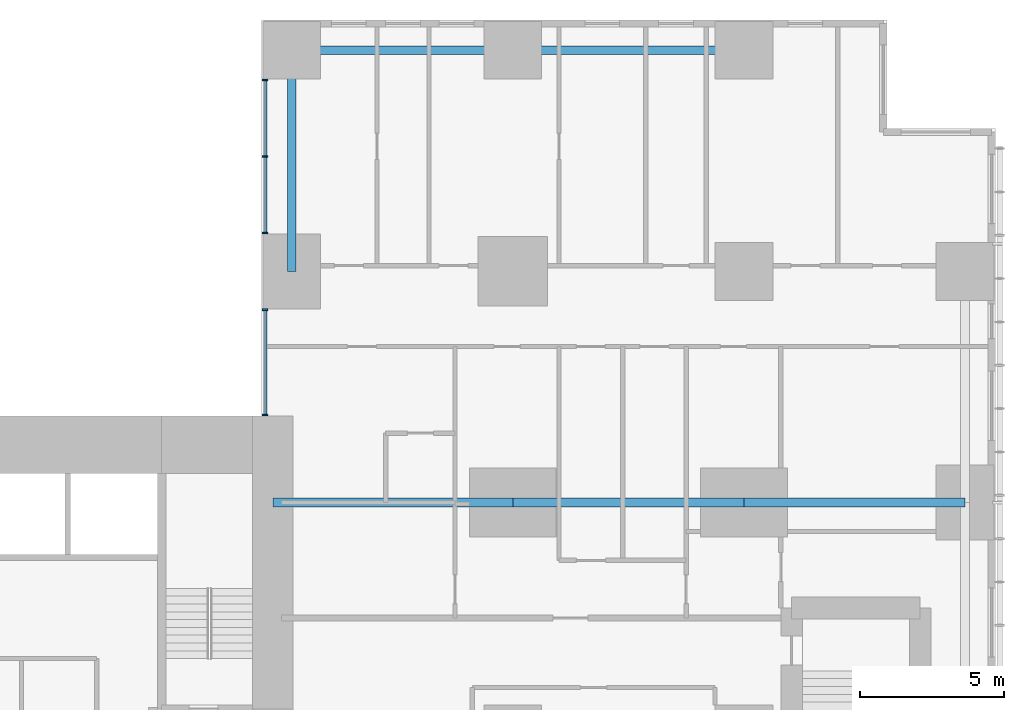
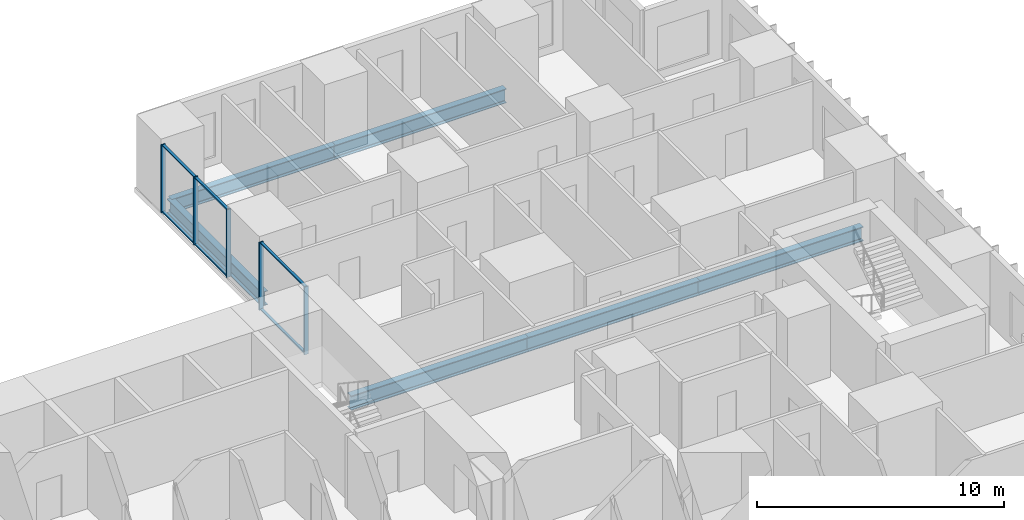
# One storey, part 5 of 20: 11 members, 6 beams, 2 elements without a shape of their own.
"""IFC4 building model written with IfcOpenShell, lengths in metres."""

from ifc_helpers import new_model, si_unit, direction, frame, origin, origin_2d, place, context, subcontext, project, spatial, rectangle, i_section, extrude, material, layer, layer_set, material_profile, profile_set, type_object, element, aggregate, save


model = new_model("IFC4")

# Units and contexts
model_context = context("Model", 3, precision=1e-05, world=origin(), true_north=direction((0.0, 1.0)))
body_context = subcontext(model_context, "Body", "Model", "MODEL_VIEW")
ifc_project = project(units=[si_unit("LENGTHUNIT", "METRE"), si_unit("AREAUNIT", "SQUARE_METRE"), si_unit("VOLUMEUNIT", "CUBIC_METRE"), si_unit("PLANEANGLEUNIT", "RADIAN"), si_unit("MASSUNIT", "GRAM", prefix="KILO")], contexts=[model_context])

# Site, building, storey
site_placement = place(None, origin())
site = spatial("IfcSite", under=ifc_project, at=site_placement, CompositionType="ELEMENT")
building_placement = place(site_placement, origin())
building = spatial("IfcBuilding", under=site, at=building_placement, Name="Cleftline Residences", CompositionType="ELEMENT")
storey_placement = place(building_placement, frame((0.0, 0.0, 153.800048828125)))
storey = spatial("IfcBuildingStorey", under=building, at=storey_placement, Name="L40", CompositionType="ELEMENT", Elevation=153.800048828125)

# Beams
ifc_material_1 = material(Name="Steel S355", Category="steel")
ifc_material_profile_1 = material_profile(ifc_material_1, i_section(OverallWidth=0.300048828125, OverallDepth=0.699951171875, WebThickness=0.01708984375, FlangeThickness=0.031982421875, FilletRadius=0.027099609375, at=origin_2d()))
ifc_profile_set_1 = profile_set([ifc_material_profile_1], Name="Steel S355")
beam_type_1 = type_object("IfcBeamType", Name="BEAM HEB 700", PredefinedType="BEAM", material=ifc_profile_set_1)
beam_1_placement = place(storey_placement, frame((58.0, 47.64990234375, -0.60009765625), z_axis=(-1.0, 0.0, 0.0), x_axis=(0.0, -1.0, 0.0)))
element("IfcBeam", 1, at=beam_1_placement, inside=storey, type_object=beam_type_1, Name="Edge beam", PredefinedType="BEAM", context=body_context, shape_type="SweptSolid", body=[
    extrude(i_section(OverallWidth=0.300048828125, OverallDepth=0.699951171875, WebThickness=0.01708984375, FlangeThickness=0.031982421875, FilletRadius=0.027099609375, at=origin_2d()), origin(), (0.0, 0.0, 1.0), 8.0),
])
for number, where, z_axis, x_axis, name in (
    (2, (50.0, 47.64990234375, -0.60009765625), (-1.0, 0.0, 0.0), (0.0, -1.0, 0.0), "Edge beam"),
    (3, (42.35009765625, 47.64990234375, -0.60009765625), (0.0, -1.0, 0.0), (1.0, 0.0, 0.0), "Edge beam"),
):
    element("IfcBeam", number, at=place(storey_placement, frame(where, z_axis=z_axis, x_axis=x_axis)), inside=storey, type_object=beam_type_1, Name=name, PredefinedType="BEAM", context=body_context, shape_type="SweptSolid", body=[
        extrude(i_section(OverallWidth=0.300048828125, OverallDepth=0.699951171875, WebThickness=0.01708984375, FlangeThickness=0.031982421875, FilletRadius=0.027099609375, at=origin_2d()), origin(), (0.0, 0.0, 1.0), 7.64990234375),
    ])
ifc_material_2 = material(Name="Steel S355", Category="steel")
ifc_material_profile_2 = material_profile(ifc_material_2, i_section(OverallWidth=0.303955078125, OverallDepth=0.716064453125, WebThickness=0.02099609375, FlangeThickness=0.0400390625, FilletRadius=0.027099609375, at=origin_2d()))
ifc_profile_set_2 = profile_set([ifc_material_profile_2], Name="Steel S355")
beam_type_2 = type_object("IfcBeamType", Name="BEAM HEM 700", PredefinedType="BEAM", material=ifc_profile_set_2)
beam_2_placement = place(storey_placement, frame((65.64990234375, 32.0, -0.608154296875), z_axis=(-1.0, 0.0, 0.0), x_axis=(0.0, -1.0, 0.0)))
element("IfcBeam", 4, at=beam_2_placement, inside=storey, type_object=beam_type_2, Name="Band beam", PredefinedType="BEAM", context=body_context, shape_type="SweptSolid", body=[
    extrude(i_section(OverallWidth=0.303955078125, OverallDepth=0.716064453125, WebThickness=0.02099609375, FlangeThickness=0.0400390625, FilletRadius=0.027099609375, at=origin_2d()), origin(), (0.0, 0.0, 1.0), 7.64990234375),
])
beam_3_placement = place(storey_placement, frame((58.0, 32.0, -0.608154296875), z_axis=(-1.0, 0.0, 0.0), x_axis=(0.0, -1.0, 0.0)))
element("IfcBeam", 5, at=beam_3_placement, inside=storey, type_object=beam_type_2, Name="Band beam", PredefinedType="BEAM", context=body_context, shape_type="SweptSolid", body=[
    extrude(i_section(OverallWidth=0.303955078125, OverallDepth=0.716064453125, WebThickness=0.02099609375, FlangeThickness=0.0400390625, FilletRadius=0.027099609375, at=origin_2d()), origin(), (0.0, 0.0, 1.0), 8.0),
])
beam_4_placement = place(storey_placement, frame((50.0, 32.0, -0.608154296875), z_axis=(-1.0, 0.0, 0.0), x_axis=(0.0, -1.0, 0.0)))
element("IfcBeam", 6, at=beam_4_placement, inside=storey, type_object=beam_type_2, Name="Band beam", PredefinedType="BEAM", context=body_context, shape_type="SweptSolid", body=[
    extrude(i_section(OverallWidth=0.303955078125, OverallDepth=0.716064453125, WebThickness=0.02099609375, FlangeThickness=0.0400390625, FilletRadius=0.027099609375, at=origin_2d()), origin(), (0.0, 0.0, 1.0), 8.300048828125),
])

# Curtain wall, members
ifc_material_3 = material(Name="Aluminium framed curtain wall", Category="aluminium")
ifc_layer = layer(ifc_material_3, 0.199951171875)
ifc_layer_set = layer_set([ifc_layer], Name="CW1 CLEFT GLAZING")
curtain_wall_type = type_object("IfcCurtainWallType", Name="CW1 CLEFT GLAZING", PredefinedType="NOTDEFINED", material=ifc_layer_set)
curtain_wall_1_placement = place(storey_placement, origin())
curtain_wall_1 = element("IfcCurtainWall", 7, at=curtain_wall_1_placement, inside=storey, type_object=curtain_wall_type, Name="Curtain wall CW1", PredefinedType="NOTDEFINED")
ifc_material_4 = material(Name="Aluminium mullion", Category="aluminium")
ifc_material_profile_3 = material_profile(ifc_material_4, rectangle(XDim=0.199951171875, YDim=0.06005859375, at=origin_2d()))
ifc_profile_set_3 = profile_set([ifc_material_profile_3], Name="Aluminium mullion")
member_type_1 = type_object("IfcMemberType", Name="CW1 MULLION", PredefinedType="MULLION", material=ifc_profile_set_3)
member_1_placement = place(storey_placement, frame((41.425048828125, 46.6201171875, 0.0), z_axis=(0.0, 0.0, 1.0), x_axis=(1.0, 0.0, 0.0)))
member_1 = element("IfcMember", 8, at=member_1_placement, type_object=member_type_1, Name="CW1 mullion 1", PredefinedType="MULLION", context=body_context, shape_type="SweptSolid", body=[
    extrude(rectangle(XDim=0.199951171875, YDim=0.06005859375, at=origin_2d()), origin(), (0.0, 0.0, 1.0), 3.349853515625),
])
member_2_placement = place(storey_placement, frame((41.425048828125, 43.97509765625, 0.0), z_axis=(0.0, 0.0, 1.0), x_axis=(1.0, 0.0, 0.0)))
member_2 = element("IfcMember", 9, at=member_2_placement, type_object=member_type_1, Name="CW1 mullion 2", PredefinedType="MULLION", context=body_context, shape_type="SweptSolid", body=[
    extrude(rectangle(XDim=0.199951171875, YDim=0.06005859375, at=origin_2d()), origin(), (0.0, 0.0, 1.0), 3.349853515625),
])
member_3_placement = place(storey_placement, frame((41.425048828125, 41.330078125, 0.0), z_axis=(0.0, 0.0, 1.0), x_axis=(1.0, 0.0, 0.0)))
member_3 = element("IfcMember", 10, at=member_3_placement, type_object=member_type_1, Name="CW1 mullion 3", PredefinedType="MULLION", context=body_context, shape_type="SweptSolid", body=[
    extrude(rectangle(XDim=0.199951171875, YDim=0.06005859375, at=origin_2d()), origin(), (0.0, 0.0, 1.0), 3.349853515625),
])

curtain_wall_2_placement = place(storey_placement, origin())
curtain_wall_2 = element("IfcCurtainWall", 11, at=curtain_wall_2_placement, inside=storey, type_object=curtain_wall_type, Name="Curtain wall CW1", PredefinedType="NOTDEFINED")
member_4_placement = place(storey_placement, frame((41.425048828125, 38.669921875, 0.0), z_axis=(0.0, 0.0, 1.0), x_axis=(1.0, 0.0, 0.0)))
member_4 = element("IfcMember", 12, at=member_4_placement, type_object=member_type_1, Name="CW1 mullion 1", PredefinedType="MULLION", context=body_context, shape_type="SweptSolid", body=[
    extrude(rectangle(XDim=0.199951171875, YDim=0.06005859375, at=origin_2d()), origin(), (0.0, 0.0, 1.0), 3.349853515625),
])
member_5_placement = place(storey_placement, frame((41.425048828125, 35.030029296875, 0.0), z_axis=(0.0, 0.0, 1.0), x_axis=(1.0, 0.0, 0.0)))
member_5 = element("IfcMember", 13, at=member_5_placement, type_object=member_type_1, Name="CW1 mullion 2", PredefinedType="MULLION", context=body_context, shape_type="SweptSolid", body=[
    extrude(rectangle(XDim=0.199951171875, YDim=0.06005859375, at=origin_2d()), origin(), (0.0, 0.0, 1.0), 3.349853515625),
])

# Member
ifc_material_5 = material(Name="Aluminium transom", Category="aluminium")
ifc_material_profile_4 = material_profile(ifc_material_5, rectangle(XDim=0.1201171875, YDim=0.06005859375, at=origin_2d()))
ifc_profile_set_4 = profile_set([ifc_material_profile_4], Name="Aluminium transom")
member_type_2 = type_object("IfcMemberType", Name="CW1 TRANSOM", PredefinedType="USERDEFINED", material=ifc_profile_set_4)
member_6_placement = place(storey_placement, frame((41.425048828125, 46.590087890625, 0.030029296875), z_axis=(0.0, -1.0, 0.0), x_axis=(1.0, 0.0, 0.0)))
member_6 = element("IfcMember", 14, at=member_6_placement, type_object=member_type_2, Name="CW1 transom 1.1", ObjectType="TRANSOM", PredefinedType="USERDEFINED", context=body_context, shape_type="SweptSolid", body=[
    extrude(rectangle(XDim=0.1201171875, YDim=0.06005859375, at=origin_2d()), origin(), (0.0, 0.0, 1.0), 2.585205078125),
])

member_7_placement = place(storey_placement, frame((41.425048828125, 46.590087890625, 3.320068359375), z_axis=(0.0, -1.0, 0.0), x_axis=(1.0, 0.0, 0.0)))
member_7 = element("IfcMember", 15, at=member_7_placement, type_object=member_type_2, Name="CW1 transom 1.2", ObjectType="TRANSOM", PredefinedType="USERDEFINED", context=body_context, shape_type="SweptSolid", body=[
    extrude(rectangle(XDim=0.1201171875, YDim=0.06005859375, at=origin_2d()), origin(), (0.0, 0.0, 1.0), 2.585205078125),
])

member_8_placement = place(storey_placement, frame((41.425048828125, 43.945068359375, 0.030029296875), z_axis=(0.0, -1.0, 0.0), x_axis=(1.0, 0.0, 0.0)))
member_8 = element("IfcMember", 16, at=member_8_placement, type_object=member_type_2, Name="CW1 transom 2.1", ObjectType="TRANSOM", PredefinedType="USERDEFINED", context=body_context, shape_type="SweptSolid", body=[
    extrude(rectangle(XDim=0.1201171875, YDim=0.06005859375, at=origin_2d()), origin(), (0.0, 0.0, 1.0), 2.5849609375),
])

member_9_placement = place(storey_placement, frame((41.425048828125, 43.945068359375, 3.320068359375), z_axis=(0.0, -1.0, 0.0), x_axis=(1.0, 0.0, 0.0)))
member_9 = element("IfcMember", 17, at=member_9_placement, type_object=member_type_2, Name="CW1 transom 2.2", ObjectType="TRANSOM", PredefinedType="USERDEFINED", context=body_context, shape_type="SweptSolid", body=[
    extrude(rectangle(XDim=0.1201171875, YDim=0.06005859375, at=origin_2d()), origin(), (0.0, 0.0, 1.0), 2.5849609375),
])

aggregate(curtain_wall_1, [member_1, member_2, member_3, member_6, member_7, member_8, member_9])

member_10_placement = place(storey_placement, frame((41.425048828125, 38.639892578125, 0.030029296875), z_axis=(0.0, -1.0, 0.0), x_axis=(1.0, 0.0, 0.0)))
member_10 = element("IfcMember", 18, at=member_10_placement, type_object=member_type_2, Name="CW1 transom 1.1", ObjectType="TRANSOM", PredefinedType="USERDEFINED", context=body_context, shape_type="SweptSolid", body=[
    extrude(rectangle(XDim=0.1201171875, YDim=0.06005859375, at=origin_2d()), origin(), (0.0, 0.0, 1.0), 3.579833984375),
])

member_11_placement = place(storey_placement, frame((41.425048828125, 38.639892578125, 3.320068359375), z_axis=(0.0, -1.0, 0.0), x_axis=(1.0, 0.0, 0.0)))
member_11 = element("IfcMember", 19, at=member_11_placement, type_object=member_type_2, Name="CW1 transom 1.2", ObjectType="TRANSOM", PredefinedType="USERDEFINED", context=body_context, shape_type="SweptSolid", body=[
    extrude(rectangle(XDim=0.1201171875, YDim=0.06005859375, at=origin_2d()), origin(), (0.0, 0.0, 1.0), 3.579833984375),
])

aggregate(curtain_wall_2, [member_4, member_5, member_10, member_11])

save(model, "model.ifc")
